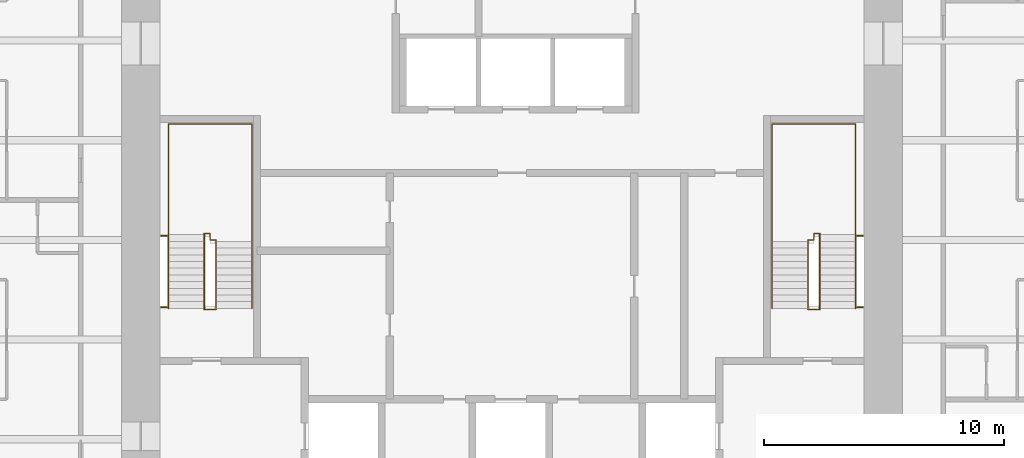
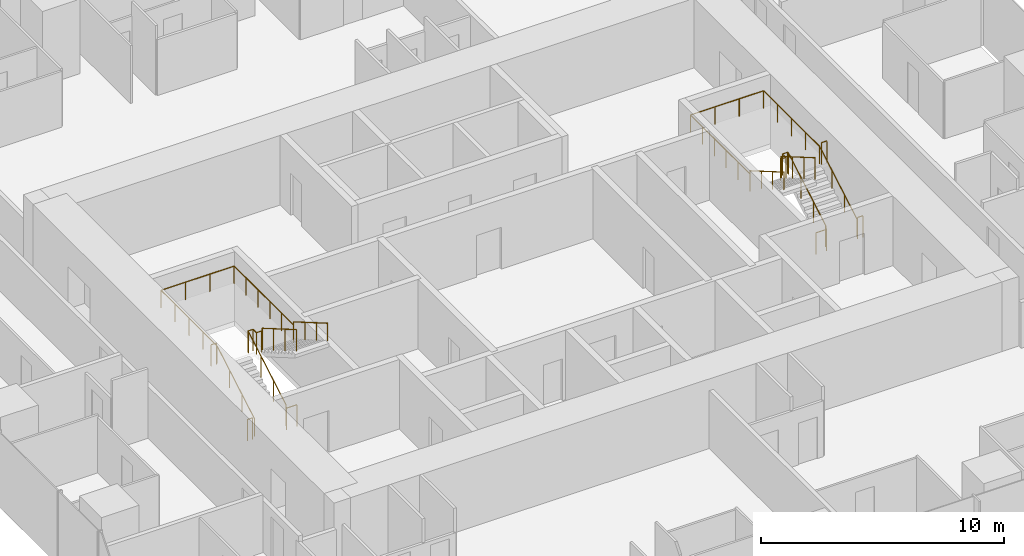
# One storey, part 13 of 13: 8 railings.
"""IFC4 building model written with IfcOpenShell, lengths in metres."""

from ifc_helpers import new_model, si_unit, direction, frame, origin, origin_2d, place, context, subcontext, project, spatial, circle, extrude, material, type_object, element, save


model = new_model("IFC4")

# Units and contexts
model_context = context("Model", 3, precision=1e-05, world=origin(), true_north=direction((0.0, 1.0)))
body_context = subcontext(model_context, "Body", "Model", "MODEL_VIEW")
ifc_project = project(units=[si_unit("LENGTHUNIT", "METRE"), si_unit("AREAUNIT", "SQUARE_METRE"), si_unit("VOLUMEUNIT", "CUBIC_METRE"), si_unit("PLANEANGLEUNIT", "RADIAN"), si_unit("MASSUNIT", "GRAM", prefix="KILO")], contexts=[model_context])

# Site, building, storey
site_placement = place(None, origin())
site = spatial("IfcSite", under=ifc_project, at=site_placement, CompositionType="ELEMENT")
building_placement = place(site_placement, origin())
building = spatial("IfcBuilding", under=site, at=building_placement, Name="Khuree Lantern Residences", CompositionType="ELEMENT")
storey_placement = place(building_placement, frame((0.0, 0.0, 248.25)))
storey = spatial("IfcBuildingStorey", under=building, at=storey_placement, Name="L62", CompositionType="ELEMENT", Elevation=248.25)

# Railings
ifc_material = material(Name="Steel S355", Category="steel")
railing_type_1 = type_object("IfcRailingType", Name="STAIR GUARD G1 1100", PredefinedType="GUARDRAIL", material=ifc_material)
railing_1_placement = place(storey_placement, frame((-12.35009765625, -2.909912109375, 0.0)))
element("IfcRailing", 1, at=railing_1_placement, inside=storey, type_object=railing_type_1, Name="Stair ST1 guard", PredefinedType="GUARDRAIL", context=body_context, shape_type="SweptSolid", body=[
    extrude(circle(Radius=0.02392578125, at=origin_2d()), frame((0.0, 0.0, 1.076171875), z_axis=(-1.0, 0.0, 0.0), x_axis=(0.0, -1.0, 0.0)), (0.0, 0.0, 1.0), 0.5),
    extrude(circle(Radius=0.02392578125, at=origin_2d()), frame((-0.5, 0.0, 1.076171875), z_axis=(0.0, 0.292073035251, 0.95639601739), x_axis=(-1.0, 0.0, 0.0)), (0.0, 0.0, 1.0), 0.17041015625),
    extrude(circle(Radius=0.02392578125, at=origin_2d()), frame((-0.5, 0.0498046875, 1.2392578125), z_axis=(0.0, 0.864176135923, 0.503189433615), x_axis=(-1.0, 0.0, 0.0)), (0.0, 0.0, 1.0), 3.564208984375),
    extrude(circle(Radius=0.02392578125, at=origin_2d()), frame((-0.5, 3.1298828125, 3.03271484375), z_axis=(0.0, 1.0, 0.0), x_axis=(-1.0, 0.0, 0.0)), (0.0, 0.0, 1.0), 0.050048828125),
    extrude(circle(Radius=0.02392578125, at=origin_2d()), frame((-0.5, 3.179931640625, 3.03271484375), z_axis=(1.0, 0.0, 0.0), x_axis=(0.0, 1.0, 0.0)), (0.0, 0.0, 1.0), 0.25),
    extrude(circle(Radius=0.02392578125, at=origin_2d()), frame((-0.25, 3.179931640625, 3.03271484375), z_axis=(0.0, -1.0, 0.0), x_axis=(1.0, 0.0, 0.0)), (0.0, 0.0, 1.0), 0.280029296875),
    extrude(circle(Radius=0.02392578125, at=origin_2d()), frame((-0.25, 2.89990234375, 3.03271484375), z_axis=(1.0, 0.0, 0.0), x_axis=(0.0, 1.0, 0.0)), (0.0, 0.0, 1.0), 0.25),
    extrude(circle(Radius=0.02392578125, at=origin_2d()), frame((0.0, 2.89990234375, 3.03271484375), z_axis=(0.0, -0.293381807449, 0.955995353053), x_axis=(1.0, 0.0, 0.0)), (0.0, 0.0, 1.0), 0.170654296875),
    extrude(circle(Radius=0.02392578125, at=origin_2d()), frame((0.0, 2.849853515625, 3.19580078125), z_axis=(0.0, -0.864180358799, 0.503182181189), x_axis=(1.0, 0.0, 0.0)), (0.0, 0.0, 1.0), 3.240234375),
    extrude(circle(Radius=0.02099609375, at=origin_2d()), origin(), (0.0, 0.0, 1.0), 1.052001953125),
    extrude(circle(Radius=0.02099609375, at=origin_2d()), frame((-0.5, 0.0, 0.0)), (0.0, 0.0, 1.0), 1.052001953125),
    extrude(circle(Radius=0.02099609375, at=origin_2d()), frame((-0.5, 0.0498046875, 0.1630859375)), (0.0, 0.0, 1.0), 1.052001953125),
    extrude(circle(Radius=0.02099609375, at=origin_2d()), frame((-0.5, 1.076416015625, 0.760986328125)), (0.0, 0.0, 1.0), 1.052001953125),
    extrude(circle(Radius=0.02099609375, at=origin_2d()), frame((-0.5, 2.103271484375, 1.358642578125)), (0.0, 0.0, 1.0), 1.052001953125),
    extrude(circle(Radius=0.02099609375, at=origin_2d()), frame((-0.5, 3.1298828125, 1.95654296875)), (0.0, 0.0, 1.0), 1.052001953125),
    extrude(circle(Radius=0.02099609375, at=origin_2d()), frame((-0.5, 3.179931640625, 1.95654296875)), (0.0, 0.0, 1.0), 1.052001953125),
    extrude(circle(Radius=0.02099609375, at=origin_2d()), frame((-0.25, 3.179931640625, 1.95654296875)), (0.0, 0.0, 1.0), 1.052001953125),
    extrude(circle(Radius=0.02099609375, at=origin_2d()), frame((-0.25, 2.89990234375, 1.95654296875)), (0.0, 0.0, 1.0), 1.052001953125),
    extrude(circle(Radius=0.02099609375, at=origin_2d()), frame((0.0, 2.89990234375, 1.95654296875)), (0.0, 0.0, 1.0), 1.052001953125),
    extrude(circle(Radius=0.02099609375, at=origin_2d()), frame((0.0, 2.849853515625, 2.11962890625)), (0.0, 0.0, 1.0), 1.052001953125),
    extrude(circle(Radius=0.02099609375, at=origin_2d()), frame((0.0, 1.91650390625, 2.6630859375)), (0.0, 0.0, 1.0), 1.052001953125),
    extrude(circle(Radius=0.02099609375, at=origin_2d()), frame((0.0, 0.983154296875, 3.20654296875)), (0.0, 0.0, 1.0), 1.052001953125),
    extrude(circle(Radius=0.02099609375, at=origin_2d()), frame((0.0, 0.0498046875, 3.75)), (0.0, 0.0, 1.0), 1.052001953125),
])
for number, where, name in (
    (2, (-14.64990234375, -2.81005859375, 0.0), "Stair ST1 landing slot guard"),
    (3, (-14.64990234375, 0.169921875, 1.95654296875), "Stair ST1 landing slot guard"),
):
    element("IfcRailing", number, at=place(storey_placement, frame(where)), inside=storey, type_object=railing_type_1, Name=name, PredefinedType="GUARDRAIL", context=body_context, shape_type="SweptSolid", body=[
        extrude(circle(Radius=0.02392578125, at=origin_2d()), frame((0.0, 0.0, 1.076171875), z_axis=(1.0, 0.0, 0.0), x_axis=(0.0, 1.0, 0.0)), (0.0, 0.0, 1.0), 0.25),
        extrude(circle(Radius=0.02099609375, at=origin_2d()), origin(), (0.0, 0.0, 1.0), 1.052001953125),
        extrude(circle(Radius=0.02099609375, at=origin_2d()), frame((0.25, 0.0, 0.0)), (0.0, 0.0, 1.0), 1.052001953125),
    ])
railing_2_placement = place(storey_placement, frame((12.35009765625, -2.909912109375, 0.0)))
element("IfcRailing", 4, at=railing_2_placement, inside=storey, type_object=railing_type_1, Name="Stair ST2 guard", PredefinedType="GUARDRAIL", context=body_context, shape_type="SweptSolid", body=[
    extrude(circle(Radius=0.02392578125, at=origin_2d()), frame((0.0, 0.0, 1.076171875), z_axis=(1.0, 0.0, 0.0), x_axis=(0.0, 1.0, 0.0)), (0.0, 0.0, 1.0), 0.5),
    extrude(circle(Radius=0.02392578125, at=origin_2d()), frame((0.5, 0.0, 1.076171875), z_axis=(0.0, 0.292073035251, 0.95639601739), x_axis=(-1.0, 0.0, 0.0)), (0.0, 0.0, 1.0), 0.17041015625),
    extrude(circle(Radius=0.02392578125, at=origin_2d()), frame((0.5, 0.0498046875, 1.2392578125), z_axis=(0.0, 0.864176135923, 0.503189433615), x_axis=(-1.0, 0.0, 0.0)), (0.0, 0.0, 1.0), 3.564208984375),
    extrude(circle(Radius=0.02392578125, at=origin_2d()), frame((0.5, 3.1298828125, 3.03271484375), z_axis=(0.0, 1.0, 0.0), x_axis=(-1.0, 0.0, 0.0)), (0.0, 0.0, 1.0), 0.050048828125),
    extrude(circle(Radius=0.02392578125, at=origin_2d()), frame((0.5, 3.179931640625, 3.03271484375), z_axis=(-1.0, 0.0, 0.0), x_axis=(0.0, -1.0, 0.0)), (0.0, 0.0, 1.0), 0.25),
    extrude(circle(Radius=0.02392578125, at=origin_2d()), frame((0.25, 3.179931640625, 3.03271484375), z_axis=(0.0, -1.0, 0.0), x_axis=(1.0, 0.0, 0.0)), (0.0, 0.0, 1.0), 0.280029296875),
    extrude(circle(Radius=0.02392578125, at=origin_2d()), frame((0.25, 2.89990234375, 3.03271484375), z_axis=(-1.0, 0.0, 0.0), x_axis=(0.0, -1.0, 0.0)), (0.0, 0.0, 1.0), 0.25),
    extrude(circle(Radius=0.02392578125, at=origin_2d()), frame((0.0, 2.89990234375, 3.03271484375), z_axis=(0.0, -0.293381807449, 0.955995353053), x_axis=(1.0, 0.0, 0.0)), (0.0, 0.0, 1.0), 0.170654296875),
    extrude(circle(Radius=0.02392578125, at=origin_2d()), frame((0.0, 2.849853515625, 3.19580078125), z_axis=(0.0, -0.864180358799, 0.503182181189), x_axis=(1.0, 0.0, 0.0)), (0.0, 0.0, 1.0), 3.240234375),
    extrude(circle(Radius=0.02099609375, at=origin_2d()), origin(), (0.0, 0.0, 1.0), 1.052001953125),
    extrude(circle(Radius=0.02099609375, at=origin_2d()), frame((0.5, 0.0, 0.0)), (0.0, 0.0, 1.0), 1.052001953125),
    extrude(circle(Radius=0.02099609375, at=origin_2d()), frame((0.5, 0.0498046875, 0.1630859375)), (0.0, 0.0, 1.0), 1.052001953125),
    extrude(circle(Radius=0.02099609375, at=origin_2d()), frame((0.5, 1.076416015625, 0.760986328125)), (0.0, 0.0, 1.0), 1.052001953125),
    extrude(circle(Radius=0.02099609375, at=origin_2d()), frame((0.5, 2.103271484375, 1.358642578125)), (0.0, 0.0, 1.0), 1.052001953125),
    extrude(circle(Radius=0.02099609375, at=origin_2d()), frame((0.5, 3.1298828125, 1.95654296875)), (0.0, 0.0, 1.0), 1.052001953125),
    extrude(circle(Radius=0.02099609375, at=origin_2d()), frame((0.5, 3.179931640625, 1.95654296875)), (0.0, 0.0, 1.0), 1.052001953125),
    extrude(circle(Radius=0.02099609375, at=origin_2d()), frame((0.25, 3.179931640625, 1.95654296875)), (0.0, 0.0, 1.0), 1.052001953125),
    extrude(circle(Radius=0.02099609375, at=origin_2d()), frame((0.25, 2.89990234375, 1.95654296875)), (0.0, 0.0, 1.0), 1.052001953125),
    extrude(circle(Radius=0.02099609375, at=origin_2d()), frame((0.0, 2.89990234375, 1.95654296875)), (0.0, 0.0, 1.0), 1.052001953125),
    extrude(circle(Radius=0.02099609375, at=origin_2d()), frame((0.0, 2.849853515625, 2.11962890625)), (0.0, 0.0, 1.0), 1.052001953125),
    extrude(circle(Radius=0.02099609375, at=origin_2d()), frame((0.0, 1.91650390625, 2.6630859375)), (0.0, 0.0, 1.0), 1.052001953125),
    extrude(circle(Radius=0.02099609375, at=origin_2d()), frame((0.0, 0.983154296875, 3.20654296875)), (0.0, 0.0, 1.0), 1.052001953125),
    extrude(circle(Radius=0.02099609375, at=origin_2d()), frame((0.0, 0.0498046875, 3.75)), (0.0, 0.0, 1.0), 1.052001953125),
])
for number, where, name in (
    (5, (14.64990234375, -2.81005859375, 0.0), "Stair ST2 landing slot guard"),
    (6, (14.64990234375, 0.169921875, 1.95654296875), "Stair ST2 landing slot guard"),
):
    element("IfcRailing", number, at=place(storey_placement, frame(where)), inside=storey, type_object=railing_type_1, Name=name, PredefinedType="GUARDRAIL", context=body_context, shape_type="SweptSolid", body=[
        extrude(circle(Radius=0.02392578125, at=origin_2d()), frame((0.0, 0.0, 1.076171875), z_axis=(-1.0, 0.0, 0.0), x_axis=(0.0, -1.0, 0.0)), (0.0, 0.0, 1.0), 0.25),
        extrude(circle(Radius=0.02099609375, at=origin_2d()), origin(), (0.0, 0.0, 1.0), 1.052001953125),
        extrude(circle(Radius=0.02099609375, at=origin_2d()), frame((-0.25, 0.0, 0.0)), (0.0, 0.0, 1.0), 1.052001953125),
    ])
railing_type_2 = type_object("IfcRailingType", Name="STAIR HANDRAIL H1 900", PredefinedType="HANDRAIL", material=ifc_material)
railing_3_placement = place(storey_placement, frame((-14.340087890625, -2.860107421875, 0.1630859375)))
element("IfcRailing", 7, at=railing_3_placement, inside=storey, type_object=railing_type_2, Name="Stair ST1 handrail", PredefinedType="HANDRAIL", context=body_context, shape_type="SweptSolid", body=[
    extrude(circle(Radius=0.02392578125, at=origin_2d()), frame((0.0, 0.0, 0.8759765625), z_axis=(0.0, 0.864176135923, 0.503189433615), x_axis=(-1.0, 0.0, 0.0)), (0.0, 0.0, 1.0), 3.564208984375),
    extrude(circle(Radius=0.02392578125, at=origin_2d()), frame((0.0, 3.080078125, 2.66943359375), z_axis=(0.0, 1.0, 0.0), x_axis=(-1.0, 0.0, 0.0)), (0.0, 0.0, 1.0), 4.6201171875),
    extrude(circle(Radius=0.02392578125, at=origin_2d()), frame((0.0, 7.7001953125, 2.66943359375), z_axis=(1.0, 0.0, 0.0), x_axis=(0.0, 1.0, 0.0)), (0.0, 0.0, 1.0), 3.47998046875),
    extrude(circle(Radius=0.02392578125, at=origin_2d()), frame((3.47998046875, 7.7001953125, 2.66943359375), z_axis=(0.0, -1.0, 0.0), x_axis=(1.0, 0.0, 0.0)), (0.0, 0.0, 1.0), 4.900146484375),
    extrude(circle(Radius=0.02392578125, at=origin_2d()), frame((3.47998046875, 2.800048828125, 2.66943359375), z_axis=(0.0, 0.0, 1.0), x_axis=(1.0, 0.0, 0.0)), (0.0, 0.0, 1.0), 0.1630859375),
    extrude(circle(Radius=0.02392578125, at=origin_2d()), frame((3.47998046875, 2.800048828125, 2.83251953125), z_axis=(0.0, -0.864180358799, 0.503182181189), x_axis=(1.0, 0.0, 0.0)), (0.0, 0.0, 1.0), 3.240234375),
    extrude(circle(Radius=0.02099609375, at=origin_2d()), origin(), (0.0, 0.0, 1.0), 0.851806640625),
    extrude(circle(Radius=0.02099609375, at=origin_2d()), frame((0.0, 1.026611328125, 0.597900390625)), (0.0, 0.0, 1.0), 0.851806640625),
    extrude(circle(Radius=0.02099609375, at=origin_2d()), frame((0.0, 2.053466796875, 1.195556640625)), (0.0, 0.0, 1.0), 0.851806640625),
    extrude(circle(Radius=0.02099609375, at=origin_2d()), frame((0.0, 3.080078125, 1.79345703125)), (0.0, 0.0, 1.0), 0.851806640625),
    extrude(circle(Radius=0.02099609375, at=origin_2d()), frame((0.0, 4.235107421875, 1.79345703125)), (0.0, 0.0, 1.0), 0.851806640625),
    extrude(circle(Radius=0.02099609375, at=origin_2d()), frame((0.0, 5.39013671875, 1.79345703125)), (0.0, 0.0, 1.0), 0.851806640625),
    extrude(circle(Radius=0.02099609375, at=origin_2d()), frame((0.0, 6.545166015625, 1.79345703125)), (0.0, 0.0, 1.0), 0.851806640625),
    extrude(circle(Radius=0.02099609375, at=origin_2d()), frame((0.0, 7.7001953125, 1.79345703125)), (0.0, 0.0, 1.0), 0.851806640625),
    extrude(circle(Radius=0.02099609375, at=origin_2d()), frame((1.159912109375, 7.7001953125, 1.79345703125)), (0.0, 0.0, 1.0), 0.851806640625),
    extrude(circle(Radius=0.02099609375, at=origin_2d()), frame((2.320068359375, 7.7001953125, 1.79345703125)), (0.0, 0.0, 1.0), 0.851806640625),
    extrude(circle(Radius=0.02099609375, at=origin_2d()), frame((3.47998046875, 7.7001953125, 1.79345703125)), (0.0, 0.0, 1.0), 0.851806640625),
    extrude(circle(Radius=0.02099609375, at=origin_2d()), frame((3.47998046875, 6.72021484375, 1.79345703125)), (0.0, 0.0, 1.0), 0.851806640625),
    extrude(circle(Radius=0.02099609375, at=origin_2d()), frame((3.47998046875, 5.740234375, 1.79345703125)), (0.0, 0.0, 1.0), 0.851806640625),
    extrude(circle(Radius=0.02099609375, at=origin_2d()), frame((3.47998046875, 4.760009765625, 1.79345703125)), (0.0, 0.0, 1.0), 0.851806640625),
    extrude(circle(Radius=0.02099609375, at=origin_2d()), frame((3.47998046875, 3.780029296875, 1.79345703125)), (0.0, 0.0, 1.0), 0.851806640625),
    extrude(circle(Radius=0.02099609375, at=origin_2d()), frame((3.47998046875, 2.800048828125, 1.79345703125)), (0.0, 0.0, 1.0), 0.851806640625),
    extrude(circle(Radius=0.02099609375, at=origin_2d()), frame((3.47998046875, 2.800048828125, 1.95654296875)), (0.0, 0.0, 1.0), 0.851806640625),
    extrude(circle(Radius=0.02099609375, at=origin_2d()), frame((3.47998046875, 1.86669921875, 2.5)), (0.0, 0.0, 1.0), 0.851806640625),
    extrude(circle(Radius=0.02099609375, at=origin_2d()), frame((3.47998046875, 0.933349609375, 3.04345703125)), (0.0, 0.0, 1.0), 0.851806640625),
    extrude(circle(Radius=0.02099609375, at=origin_2d()), frame((3.47998046875, 0.0, 3.5869140625)), (0.0, 0.0, 1.0), 0.851806640625),
])
railing_4_placement = place(storey_placement, frame((14.340087890625, -2.860107421875, 0.1630859375)))
element("IfcRailing", 8, at=railing_4_placement, inside=storey, type_object=railing_type_2, Name="Stair ST2 handrail", PredefinedType="HANDRAIL", context=body_context, shape_type="SweptSolid", body=[
    extrude(circle(Radius=0.02392578125, at=origin_2d()), frame((0.0, 0.0, 0.8759765625), z_axis=(0.0, 0.864176135923, 0.503189433615), x_axis=(-1.0, 0.0, 0.0)), (0.0, 0.0, 1.0), 3.564208984375),
    extrude(circle(Radius=0.02392578125, at=origin_2d()), frame((0.0, 3.080078125, 2.66943359375), z_axis=(0.0, 1.0, 0.0), x_axis=(-1.0, 0.0, 0.0)), (0.0, 0.0, 1.0), 4.6201171875),
    extrude(circle(Radius=0.02392578125, at=origin_2d()), frame((0.0, 7.7001953125, 2.66943359375), z_axis=(-1.0, 0.0, 0.0), x_axis=(0.0, -1.0, 0.0)), (0.0, 0.0, 1.0), 3.47998046875),
    extrude(circle(Radius=0.02392578125, at=origin_2d()), frame((-3.47998046875, 7.7001953125, 2.66943359375), z_axis=(0.0, -1.0, 0.0), x_axis=(1.0, 0.0, 0.0)), (0.0, 0.0, 1.0), 4.900146484375),
    extrude(circle(Radius=0.02392578125, at=origin_2d()), frame((-3.47998046875, 2.800048828125, 2.66943359375), z_axis=(0.0, 0.0, 1.0), x_axis=(1.0, 0.0, 0.0)), (0.0, 0.0, 1.0), 0.1630859375),
    extrude(circle(Radius=0.02392578125, at=origin_2d()), frame((-3.47998046875, 2.800048828125, 2.83251953125), z_axis=(0.0, -0.864180358799, 0.503182181189), x_axis=(1.0, 0.0, 0.0)), (0.0, 0.0, 1.0), 3.240234375),
    extrude(circle(Radius=0.02099609375, at=origin_2d()), origin(), (0.0, 0.0, 1.0), 0.851806640625),
    extrude(circle(Radius=0.02099609375, at=origin_2d()), frame((0.0, 1.026611328125, 0.597900390625)), (0.0, 0.0, 1.0), 0.851806640625),
    extrude(circle(Radius=0.02099609375, at=origin_2d()), frame((0.0, 2.053466796875, 1.195556640625)), (0.0, 0.0, 1.0), 0.851806640625),
    extrude(circle(Radius=0.02099609375, at=origin_2d()), frame((0.0, 3.080078125, 1.79345703125)), (0.0, 0.0, 1.0), 0.851806640625),
    extrude(circle(Radius=0.02099609375, at=origin_2d()), frame((0.0, 4.235107421875, 1.79345703125)), (0.0, 0.0, 1.0), 0.851806640625),
    extrude(circle(Radius=0.02099609375, at=origin_2d()), frame((0.0, 5.39013671875, 1.79345703125)), (0.0, 0.0, 1.0), 0.851806640625),
    extrude(circle(Radius=0.02099609375, at=origin_2d()), frame((0.0, 6.545166015625, 1.79345703125)), (0.0, 0.0, 1.0), 0.851806640625),
    extrude(circle(Radius=0.02099609375, at=origin_2d()), frame((0.0, 7.7001953125, 1.79345703125)), (0.0, 0.0, 1.0), 0.851806640625),
    extrude(circle(Radius=0.02099609375, at=origin_2d()), frame((-1.159912109375, 7.7001953125, 1.79345703125)), (0.0, 0.0, 1.0), 0.851806640625),
    extrude(circle(Radius=0.02099609375, at=origin_2d()), frame((-2.320068359375, 7.7001953125, 1.79345703125)), (0.0, 0.0, 1.0), 0.851806640625),
    extrude(circle(Radius=0.02099609375, at=origin_2d()), frame((-3.47998046875, 7.7001953125, 1.79345703125)), (0.0, 0.0, 1.0), 0.851806640625),
    extrude(circle(Radius=0.02099609375, at=origin_2d()), frame((-3.47998046875, 6.72021484375, 1.79345703125)), (0.0, 0.0, 1.0), 0.851806640625),
    extrude(circle(Radius=0.02099609375, at=origin_2d()), frame((-3.47998046875, 5.740234375, 1.79345703125)), (0.0, 0.0, 1.0), 0.851806640625),
    extrude(circle(Radius=0.02099609375, at=origin_2d()), frame((-3.47998046875, 4.760009765625, 1.79345703125)), (0.0, 0.0, 1.0), 0.851806640625),
    extrude(circle(Radius=0.02099609375, at=origin_2d()), frame((-3.47998046875, 3.780029296875, 1.79345703125)), (0.0, 0.0, 1.0), 0.851806640625),
    extrude(circle(Radius=0.02099609375, at=origin_2d()), frame((-3.47998046875, 2.800048828125, 1.79345703125)), (0.0, 0.0, 1.0), 0.851806640625),
    extrude(circle(Radius=0.02099609375, at=origin_2d()), frame((-3.47998046875, 2.800048828125, 1.95654296875)), (0.0, 0.0, 1.0), 0.851806640625),
    extrude(circle(Radius=0.02099609375, at=origin_2d()), frame((-3.47998046875, 1.86669921875, 2.5)), (0.0, 0.0, 1.0), 0.851806640625),
    extrude(circle(Radius=0.02099609375, at=origin_2d()), frame((-3.47998046875, 0.933349609375, 3.04345703125)), (0.0, 0.0, 1.0), 0.851806640625),
    extrude(circle(Radius=0.02099609375, at=origin_2d()), frame((-3.47998046875, 0.0, 3.5869140625)), (0.0, 0.0, 1.0), 0.851806640625),
])

save(model, "model.ifc")
